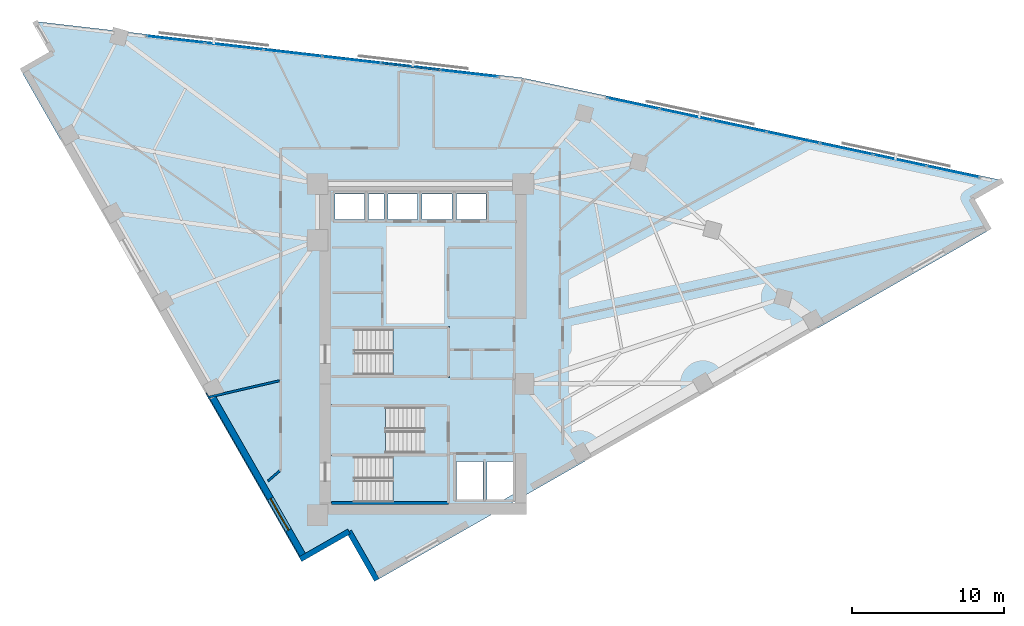
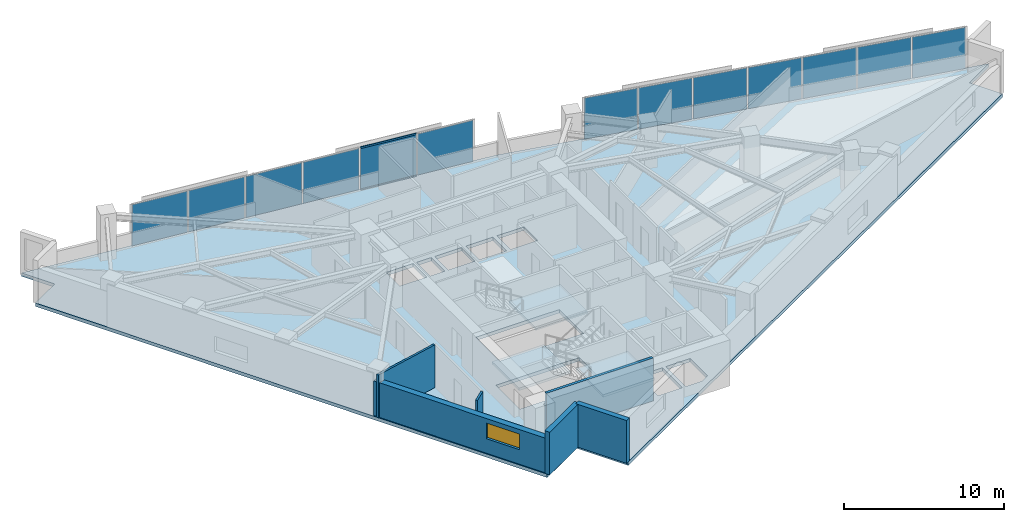
# One storey, part 8 of 14: 13 plates, 6 walls, 4 slabs, 2 members, 1 window, 1 opening, 5 elements without a shape of their own.
"""IFC4 building model written with IfcOpenShell, lengths in metres."""

from ifc_helpers import new_model, si_unit, direction, frame, frame_2d, origin, origin_2d, place, context, subcontext, project, spatial, polyline, rectangle, hollow_rectangle, outline, extrude, material, layer, layer_set, material_profile, profile_set, type_object, element, fill, aggregate, save


model = new_model("IFC4")

# Units and contexts
model_context = context("Model", 3, precision=1e-05, world=origin(), true_north=direction((0.0, 1.0)))
body_context = subcontext(model_context, "Body", "Model", "MODEL_VIEW")
ifc_project = project(units=[si_unit("LENGTHUNIT", "METRE"), si_unit("AREAUNIT", "SQUARE_METRE"), si_unit("VOLUMEUNIT", "CUBIC_METRE"), si_unit("PLANEANGLEUNIT", "RADIAN"), si_unit("MASSUNIT", "GRAM", prefix="KILO")], contexts=[model_context])

# Site, building, storey
site_placement = place(None, origin())
site = spatial("IfcSite", under=ifc_project, at=site_placement, CompositionType="ELEMENT")
building_placement = place(site_placement, origin())
building = spatial("IfcBuilding", under=site, at=building_placement, Name="Narakoshi Arena Tower", CompositionType="ELEMENT")
storey_placement = place(building_placement, frame((0.0, 0.0, 214.97998046875)))
storey = spatial("IfcBuildingStorey", under=building, at=storey_placement, Name="L58", CompositionType="ELEMENT", Elevation=214.97998046875)

# Curtain wall, members
ifc_material_1 = material(Name="Anodised bronze aluminium 6063-T6", Category="aluminium")
curtain_wall_type = type_object("IfcCurtainWallType", Name="CW-HYP-MID", PredefinedType="NOTDEFINED", material=ifc_material_1)
curtain_wall_1_placement = place(storey_placement, origin())
curtain_wall_1 = element("IfcCurtainWall", 1, at=curtain_wall_1_placement, inside=storey, type_object=curtain_wall_type, Name="L58 Folded Hypotenuse Curtain Wall 2-1", PredefinedType="NOTDEFINED")
ifc_material_profile = material_profile(ifc_material_1, hollow_rectangle(XDim=0.06494140625, YDim=0.1298828125, WallThickness=0.00390625, OuterFilletRadius=0.0048828125, at=origin_2d()), Name="TRN130x65x4")
ifc_profile_set = profile_set([ifc_material_profile], Name="Anodised bronze aluminium 6063-T6")
member_type = type_object("IfcMemberType", Name="MEM-TRN-130", PredefinedType="USERDEFINED", material=ifc_profile_set)
member_1_placement = place(storey_placement, frame((80.032470703125, 64.002685546875, 0.032470703125), z_axis=(-0.993360986362, 0.115038909828, 0.0), x_axis=(-0.115038909828, -0.993360986362, 0.0)))
member_1 = element("IfcMember", 2, at=member_1_placement, type_object=member_type, Name="CW-02 transom 2.1", ObjectType="TRANSOM", PredefinedType="USERDEFINED", context=body_context, shape_type="SweptSolid", body=[
    extrude(hollow_rectangle(XDim=0.06494140625, YDim=0.1298828125, WallThickness=0.00390625, OuterFilletRadius=0.0048828125, at=origin_2d()), origin(), (0.0, 0.0, 1.0), 3.820068359375),
])
member_2_placement = place(storey_placement, frame((80.032470703125, 64.002685546875, 3.2275390625), z_axis=(-0.993360986362, 0.115038909828, 0.0), x_axis=(-0.115038909828, -0.993360986362, 0.0)))
member_2 = element("IfcMember", 3, at=member_2_placement, type_object=member_type, Name="CW-02 transom 2.2", ObjectType="TRANSOM", PredefinedType="USERDEFINED", context=body_context, shape_type="SweptSolid", body=[
    extrude(hollow_rectangle(XDim=0.06494140625, YDim=0.1298828125, WallThickness=0.00390625, OuterFilletRadius=0.0048828125, at=origin_2d()), origin(), (0.0, 0.0, 1.0), 3.820068359375),
])

# Curtain wall, plates
curtain_wall_2_placement = place(storey_placement, origin())
curtain_wall_2 = element("IfcCurtainWall", 4, at=curtain_wall_2_placement, inside=storey, type_object=curtain_wall_type, Name="L58 Folded Hypotenuse Curtain Wall 1-1", PredefinedType="NOTDEFINED")
ifc_material_2 = material(Name="Bronze-tinted low-E laminated glass", Category="glass")
ifc_layer_1 = layer(ifc_material_2, 0.0380859375)
ifc_layer_set_1 = layer_set([ifc_layer_1], Name="Bronze-tinted low-E laminated glass")
plate_type = type_object("IfcPlateType", Name="PLT-GLZ-38", PredefinedType="CURTAIN_PANEL", material=ifc_layer_set_1)
plate_1_placement = place(storey_placement, frame((113.835205078125, 57.3095703125, 0.065185546875), z_axis=(0.0, 0.0, 1.0), x_axis=(-0.977937185914, 0.208899163248, 0.0)))
plate_1 = element("IfcPlate", 5, at=plate_1_placement, type_object=plate_type, Name="CW-02 panel 1.1", PredefinedType="CURTAIN_PANEL", context=body_context, shape_type="SweptSolid", body=[
    extrude(rectangle(XDim=3.48095703125, YDim=0.0380859375, at=origin_2d()), origin(), (0.0, 0.0, 1.0), 3.1298828125),
])
plate_2_placement = place(storey_placement, frame((110.33935546875, 58.056396484375, 0.065185546875), z_axis=(0.0, 0.0, 1.0), x_axis=(-0.977937185914, 0.208899163248, 0.0)))
plate_2 = element("IfcPlate", 6, at=plate_2_placement, type_object=plate_type, Name="CW-02 panel 2.1", PredefinedType="CURTAIN_PANEL", context=body_context, shape_type="SweptSolid", body=[
    extrude(rectangle(XDim=3.518310546875, YDim=0.0380859375, at=origin_2d()), origin(), (0.0, 0.0, 1.0), 3.1298828125),
])
plate_3_placement = place(storey_placement, frame((106.8251953125, 58.806884765625, 0.065185546875), z_axis=(0.0, 0.0, 1.0), x_axis=(-0.977937185914, 0.208899163248, 0.0)))
plate_3 = element("IfcPlate", 7, at=plate_3_placement, type_object=plate_type, Name="CW-02 panel 3.1", PredefinedType="CURTAIN_PANEL", context=body_context, shape_type="SweptSolid", body=[
    extrude(rectangle(XDim=3.518310546875, YDim=0.0380859375, at=origin_2d()), origin(), (0.0, 0.0, 1.0), 3.1298828125),
])
plate_4_placement = place(storey_placement, frame((103.31103515625, 59.5576171875, 0.065185546875), z_axis=(0.0, 0.0, 1.0), x_axis=(-0.977937185914, 0.208899163248, 0.0)))
plate_4 = element("IfcPlate", 8, at=plate_4_placement, type_object=plate_type, Name="CW-02 panel 4.1", PredefinedType="CURTAIN_PANEL", context=body_context, shape_type="SweptSolid", body=[
    extrude(rectangle(XDim=3.518310546875, YDim=0.0380859375, at=origin_2d()), origin(), (0.0, 0.0, 1.0), 3.1298828125),
])
plate_5_placement = place(storey_placement, frame((99.796875, 60.308349609375, 0.065185546875), z_axis=(0.0, 0.0, 1.0), x_axis=(-0.977937185914, 0.208899163248, 0.0)))
plate_5 = element("IfcPlate", 9, at=plate_5_placement, type_object=plate_type, Name="CW-02 panel 5.1", PredefinedType="CURTAIN_PANEL", context=body_context, shape_type="SweptSolid", body=[
    extrude(rectangle(XDim=3.518310546875, YDim=0.0380859375, at=origin_2d()), origin(), (0.0, 0.0, 1.0), 3.1298828125),
])
plate_6_placement = place(storey_placement, frame((96.282958984375, 61.058837890625, 0.065185546875), z_axis=(0.0, 0.0, 1.0), x_axis=(-0.977937185914, 0.208899163248, 0.0)))
plate_6 = element("IfcPlate", 10, at=plate_6_placement, type_object=plate_type, Name="CW-02 panel 6.1", PredefinedType="CURTAIN_PANEL", context=body_context, shape_type="SweptSolid", body=[
    extrude(rectangle(XDim=3.518310546875, YDim=0.0380859375, at=origin_2d()), origin(), (0.0, 0.0, 1.0), 3.1298828125),
])
plate_7_placement = place(storey_placement, frame((92.787109375, 61.8056640625, 0.065185546875), z_axis=(0.0, 0.0, 1.0), x_axis=(-0.977937185914, 0.208899163248, 0.0)))
plate_7 = element("IfcPlate", 11, at=plate_7_placement, type_object=plate_type, Name="CW-02 panel 7.1", PredefinedType="CURTAIN_PANEL", context=body_context, shape_type="SweptSolid", body=[
    extrude(rectangle(XDim=3.48095703125, YDim=0.0380859375, at=origin_2d()), origin(), (0.0, 0.0, 1.0), 3.1298828125),
])
aggregate(curtain_wall_2, [plate_1, plate_2, plate_3, plate_4, plate_5, plate_6, plate_7])

# Plate
plate_8_placement = place(storey_placement, frame((81.985595703125, 63.776611328125, 0.065185546875), z_axis=(0.0, 0.0, 1.0), x_axis=(-0.993364183774, 0.115011296816, 0.0)))
plate_8 = element("IfcPlate", 12, at=plate_8_placement, type_object=plate_type, Name="CW-02 panel 1.1", PredefinedType="CURTAIN_PANEL", context=body_context, shape_type="SweptSolid", body=[
    extrude(rectangle(XDim=3.782470703125, YDim=0.0380859375, at=origin_2d()), origin(), (0.0, 0.0, 1.0), 3.1298828125),
])

plate_9_placement = place(storey_placement, frame((78.13525390625, 64.222412109375, 0.065185546875), z_axis=(0.0, 0.0, 1.0), x_axis=(-0.993364183774, 0.115011296816, 0.0)))
plate_9 = element("IfcPlate", 13, at=plate_9_placement, type_object=plate_type, Name="CW-02 panel 2.1", PredefinedType="CURTAIN_PANEL", context=body_context, shape_type="SweptSolid", body=[
    extrude(rectangle(XDim=3.820068359375, YDim=0.0380859375, at=origin_2d()), origin(), (0.0, 0.0, 1.0), 3.1298828125),
])

plate_10_placement = place(storey_placement, frame((74.26611328125, 64.67041015625, 0.065185546875), z_axis=(0.0, 0.0, 1.0), x_axis=(-0.993364183774, 0.115011296816, 0.0)))
plate_10 = element("IfcPlate", 14, at=plate_10_placement, type_object=plate_type, Name="CW-02 panel 3.1", PredefinedType="CURTAIN_PANEL", context=body_context, shape_type="SweptSolid", body=[
    extrude(rectangle(XDim=3.820068359375, YDim=0.0380859375, at=origin_2d()), origin(), (0.0, 0.0, 1.0), 3.1298828125),
])

plate_11_placement = place(storey_placement, frame((70.39697265625, 65.118408203125, 0.065185546875), z_axis=(0.0, 0.0, 1.0), x_axis=(-0.993364183774, 0.115011296816, 0.0)))
plate_11 = element("IfcPlate", 15, at=plate_11_placement, type_object=plate_type, Name="CW-02 panel 4.1", PredefinedType="CURTAIN_PANEL", context=body_context, shape_type="SweptSolid", body=[
    extrude(rectangle(XDim=3.820068359375, YDim=0.0380859375, at=origin_2d()), origin(), (0.0, 0.0, 1.0), 3.1298828125),
])

plate_12_placement = place(storey_placement, frame((66.52783203125, 65.56640625, 0.065185546875), z_axis=(0.0, 0.0, 1.0), x_axis=(-0.993364183774, 0.115011296816, 0.0)))
plate_12 = element("IfcPlate", 16, at=plate_12_placement, type_object=plate_type, Name="CW-02 panel 5.1", PredefinedType="CURTAIN_PANEL", context=body_context, shape_type="SweptSolid", body=[
    extrude(rectangle(XDim=3.820068359375, YDim=0.0380859375, at=origin_2d()), origin(), (0.0, 0.0, 1.0), 3.1298828125),
])

plate_13_placement = place(storey_placement, frame((62.67724609375, 66.01220703125, 0.065185546875), z_axis=(0.0, 0.0, 1.0), x_axis=(-0.993364183774, 0.115011296816, 0.0)))
plate_13 = element("IfcPlate", 17, at=plate_13_placement, type_object=plate_type, Name="CW-02 panel 6.1", PredefinedType="CURTAIN_PANEL", context=body_context, shape_type="SweptSolid", body=[
    extrude(rectangle(XDim=3.782470703125, YDim=0.0380859375, at=origin_2d()), origin(), (0.0, 0.0, 1.0), 3.1298828125),
])

aggregate(curtain_wall_1, [plate_8, member_1, member_2, plate_9, plate_10, plate_11, plate_12, plate_13])

# Stair, slab
ifc_material_3 = material(Name="Concrete C45/55", Category="concrete")
stair_type = type_object("IfcStairType", Name="STR-CORE-352", PredefinedType="TWO_STRAIGHT_RUN_STAIR", material=ifc_material_3)
stair_1_placement = place(storey_placement, origin())
stair_1 = element("IfcStair", 18, at=stair_1_placement, inside=storey, type_object=stair_type, Name="L58 Core Escape Stair ST1", PredefinedType="TWO_STRAIGHT_RUN_STAIR")
ifc_layer_2 = layer(ifc_material_3, 0.18994140625)
ifc_layer_set_2 = layer_set([ifc_layer_2], Name="Concrete C45/55")
slab_type_1 = type_object("IfcSlabType", Name="SLB-LND-190", PredefinedType="LANDING", material=ifc_layer_set_2)
slab_1_placement = place(storey_placement, frame((0.0, 0.0, 1.570068359375)))
slab_1 = element("IfcSlab", 19, at=slab_1_placement, type_object=slab_type_1, Name="ST1 landing 1", PredefinedType="LANDING", context=body_context, shape_type="SweptSolid", body=[
    extrude(outline(polyline([(76.965087890625, 35.3701171875), (80.679931640625, 35.3701171875), (80.679931640625, 38.72998046875), (76.965087890625, 38.72998046875), (76.965087890625, 35.3701171875)])), origin(), (0.0, 0.0, 1.0), 0.18994140625),
])
aggregate(stair_1, [slab_1])

stair_2_placement = place(storey_placement, origin())
stair_2 = element("IfcStair", 20, at=stair_2_placement, inside=storey, type_object=stair_type, Name="L58 Core Escape Stair ST2", PredefinedType="TWO_STRAIGHT_RUN_STAIR")
slab_2_placement = place(storey_placement, frame((0.0, 0.0, 1.570068359375)))
slab_2 = element("IfcSlab", 21, at=slab_2_placement, type_object=slab_type_1, Name="ST2 landing 1", PredefinedType="LANDING", context=body_context, shape_type="SweptSolid", body=[
    extrude(outline(polyline([(72.77001953125, 38.6201171875), (76.485107421875, 38.6201171875), (76.485107421875, 41.97998046875), (72.77001953125, 41.97998046875), (72.77001953125, 38.6201171875)])), origin(), (0.0, 0.0, 1.0), 0.18994140625),
])
aggregate(stair_2, [slab_2])

stair_3_placement = place(storey_placement, origin())
stair_3 = element("IfcStair", 22, at=stair_3_placement, inside=storey, type_object=stair_type, Name="L58 Core Escape Stair ST3", PredefinedType="TWO_STRAIGHT_RUN_STAIR")
slab_3_placement = place(storey_placement, frame((0.0, 0.0, 1.570068359375)))
slab_3 = element("IfcSlab", 23, at=slab_3_placement, type_object=slab_type_1, Name="ST3 landing 1", PredefinedType="LANDING", context=body_context, shape_type="SweptSolid", body=[
    extrude(outline(polyline([(76.965087890625, 43.77001953125), (80.679931640625, 43.77001953125), (80.679931640625, 47.1298828125), (76.965087890625, 47.1298828125), (76.965087890625, 43.77001953125)])), origin(), (0.0, 0.0, 1.0), 0.18994140625),
])
aggregate(stair_3, [slab_3])

# Slab
ifc_material_4 = material(Name="Concrete C50/60", Category="concrete")
ifc_layer_3 = layer(ifc_material_4, 0.260009765625)
ifc_layer_set_3 = layer_set([ifc_layer_3], Name="Concrete C50/60")
slab_type_2 = type_object("IfcSlabType", Name="SLB-SKY-260", PredefinedType="FLOOR", material=ifc_layer_set_3)
slab_4_placement = place(storey_placement, frame((0.0, 0.0, -0.260009765625)))
element("IfcSlab", 24, at=slab_4_placement, inside=storey, type_object=slab_type_2, Name="L58 Structural Floor Slab", PredefinedType="FLOOR", context=body_context, shape_type="SweptSolid", body=[
    extrude(outline(polyline([(75.915771484375, 30.43017578125), (116.209716796875, 53.460205078125), (115.01904296875, 55.54345703125), (117.1025390625, 56.734375), (85.442626953125, 63.497314453125), (53.408203125, 67.2060546875), (54.59912109375, 65.122802734375), (52.515625, 63.931884765625), (70.87841796875, 31.803466796875), (74.083740234375, 33.635498046875), (75.915771484375, 30.43017578125)]), holes=[polyline([(80.5, 35.550048828125), (74.47998046875, 35.550048828125), (74.47998046875, 38.550048828125), (80.5, 38.550048828125), (80.5, 35.550048828125)]), polyline([(82.89990234375, 35.75), (81.14990234375, 35.75), (81.14990234375, 38.25), (82.89990234375, 38.25), (82.89990234375, 35.75)]), polyline([(84.89990234375, 36.08349609375), (84.316650390625, 35.75), (83.14990234375, 35.75), (83.14990234375, 38.25), (84.89990234375, 38.25), (84.89990234375, 36.08349609375)]), polyline([(72.949951171875, 38.800048828125), (72.949951171875, 41.800048828125), (78.969970703125, 41.800048828125), (78.969970703125, 38.800048828125), (72.949951171875, 38.800048828125)]), polyline([(74.47998046875, 43.949951171875), (74.47998046875, 46.949951171875), (80.5, 46.949951171875), (80.5, 43.949951171875), (74.47998046875, 43.949951171875)]), polyline([(75.10009765625, 54.14990234375), (73.14990234375, 54.14990234375), (73.14990234375, 55.85009765625), (75.10009765625, 55.85009765625), (75.10009765625, 54.14990234375)]), polyline([(76.39990234375, 54.14990234375), (75.35009765625, 54.14990234375), (75.35009765625, 55.85009765625), (76.39990234375, 55.85009765625), (76.39990234375, 54.14990234375)]), polyline([(78.60009765625, 54.14990234375), (76.64990234375, 54.14990234375), (76.64990234375, 55.85009765625), (78.60009765625, 55.85009765625), (78.60009765625, 54.14990234375)]), polyline([(78.89990234375, 54.14990234375), (78.89990234375, 55.85009765625), (80.85009765625, 55.85009765625), (80.85009765625, 54.14990234375), (78.89990234375, 54.14990234375)]), polyline([(81.14990234375, 54.14990234375), (81.14990234375, 55.85009765625), (83.10009765625, 55.85009765625), (83.10009765625, 54.14990234375), (81.14990234375, 54.14990234375)])]), origin(), (0.0, 0.0, 1.0), 0.260009765625),
])

# Wall, opening, window
ifc_material_5 = material(Name="Precast concrete C45/55", Category="concrete")
ifc_layer_4 = layer(ifc_material_5, 0.419921875)
ifc_layer_set_4 = layer_set([ifc_layer_4], Name="Precast concrete C45/55")
wall_type_1 = type_object("IfcWallType", Name="WL-POD-420", PredefinedType="SOLIDWALL", material=ifc_layer_set_4)
wall_1_placement = place(storey_placement, frame((64.873779296875, 42.863525390625, 0.0), z_axis=(0.0, 0.0, 1.0), x_axis=(0.49622043329, -0.868196568517, 0.0)))
wall_1 = element("IfcWall", 25, at=wall_1_placement, inside=storey, type_object=wall_type_1, Name="L58 Architectural Concrete Facade Wall LEGB-3", PredefinedType="SOLIDWALL", context=body_context, shape_type="SweptSolid", body=[
    extrude(rectangle(XDim=12.58203125, YDim=0.419921875, at=frame_2d((6.291015625, 0.0))), origin(), (0.0, 0.0, 1.0), 2.64501953125),
])
opening_placement = place(wall_1_placement, frame((8.135986328125, 0.0, 1.10009765625)))
opening = element("IfcOpeningElement", 26, at=opening_placement, cuts=wall_1, Name="Opening WN-04", PredefinedType="OPENING", context=body_context, shape_type="SweptSolid", body=[
    extrude(rectangle(XDim=2.39990234375, YDim=1.199951171875, at=frame_2d((1.199951171875, 0.60009765625))), frame((0.0, 0.219970703125, 0.0), z_axis=(0.0, -1.0, 0.0), x_axis=(1.0, 0.0, 0.0)), (0.0, 0.0, 1.0), 0.43994140625),
])
window_type = type_object("IfcWindowType", Name="WIN-SLT-24x12", PartitioningType="SINGLE_PANEL", PredefinedType="WINDOW", material=ifc_material_2)
window_placement = place(opening_placement, origin())
window = element("IfcWindow", 27, at=window_placement, inside=storey, type_object=window_type, Name="L58 LEGB3 Horizontal Slot Window 1", OverallHeight=1.199951171875, OverallWidth=2.39990234375, PartitioningType="SINGLE_PANEL", PredefinedType="WINDOW", context=body_context, shape_type="SweptSolid", body=[
    extrude(rectangle(XDim=2.39990234375, YDim=1.199951171875, at=frame_2d((1.199951171875, 0.60009765625))), frame((0.0, 0.030029296875, 0.0), z_axis=(0.0, -1.0, 0.0), x_axis=(1.0, 0.0, 0.0)), (0.0, 0.0, 1.0), 0.06005859375),
])
fill(opening, window)

# Walls
for number, where, z_axis, x_axis, name in (
    (28, (70.87841796875, 31.803466796875, 0.0), (0.0, 0.0, 1.0), (0.868194304946, 0.496224393656, 0.0), "L58 Re-Entrant Corner Notch Wall NTA-1"),
    (29, (74.083740234375, 33.635498046875, 0.0), (0.0, 0.0, 1.0), (0.496224393656, -0.868194304946, 0.0), "L58 Re-Entrant Corner Notch Wall NTA-2"),
):
    element("IfcWall", number, at=place(storey_placement, frame(where, z_axis=z_axis, x_axis=x_axis)), inside=storey, type_object=wall_type_1, Name=name, PredefinedType="SOLIDWALL", context=body_context, shape_type="SweptSolid", body=[
        extrude(rectangle(XDim=3.69189453125, YDim=0.360107421875, at=frame_2d((1.845947265625, 0.0))), origin(), (0.0, 0.0, 1.0), 3.260009765625),
    ])
ifc_layer_5 = layer(ifc_material_4, 0.35009765625)
ifc_layer_set_5 = layer_set([ifc_layer_5], Name="Concrete C50/60")
wall_type_2 = type_object("IfcWallType", Name="WL-SHAFT-350", PredefinedType="SOLIDWALL", material=ifc_layer_set_5)
wall_2_placement = place(storey_placement, frame((72.919921875, 35.52001953125, -0.260009765625), z_axis=(0.0, 0.0, 1.0), x_axis=(1.0, 0.0, 0.0)))
element("IfcWall", 30, at=wall_2_placement, inside=storey, type_object=wall_type_2, Name="L58 Core Wall ST1-S", PredefinedType="SOLIDWALL", context=body_context, shape_type="SweptSolid", body=[
    extrude(rectangle(XDim=7.7001953125, YDim=0.199951171875, at=frame_2d((3.85009765625, 0.0))), origin(), (0.0, 0.0, 1.0), 3.52001953125),
])
ifc_material_6 = material(Name="Moisture-resistant cement-board partition")
ifc_layer_6 = layer(ifc_material_6, 0.14501953125)
ifc_layer_set_6 = layer_set([ifc_layer_6], Name="Moisture-resistant cement-board partition")
wall_type_3 = type_object("IfcWallType", Name="WL-WET-145", PredefinedType="PARTITIONING", material=ifc_layer_set_6)
wall_3_placement = place(storey_placement, frame((64.78857421875, 42.45849609375, 0.0), z_axis=(0.0, 0.0, 1.0), x_axis=(0.974184220903, 0.225754520982, 0.0)))
element("IfcWall", 31, at=wall_3_placement, inside=storey, type_object=wall_type_3, Name="L58 Inter-Room Partition 01-08", PredefinedType="PARTITIONING", context=body_context, shape_type="SweptSolid", body=[
    extrude(rectangle(XDim=4.840576171875, YDim=0.14501953125, at=frame_2d((2.42041015625, 0.0))), origin(), (0.0, 0.0, 1.0), 3.260009765625),
])
wall_4_placement = place(storey_placement, frame((69.528564453125, 37.627197265625, 0.0), z_axis=(0.0, 0.0, 1.0), x_axis=(-0.757466453998, -0.652874085155, 0.0)))
element("IfcWall", 32, at=wall_4_placement, inside=storey, type_object=wall_type_3, Name="L58 Room Enclosure Partition 01-1", PredefinedType="PARTITIONING", context=body_context, shape_type="SweptSolid", body=[
    extrude(rectangle(XDim=1.03173828125, YDim=0.14501953125, at=frame_2d((0.515869140625, 0.0))), origin(), (0.0, 0.0, 1.0), 3.260009765625),
])

save(model, "model.ifc")
